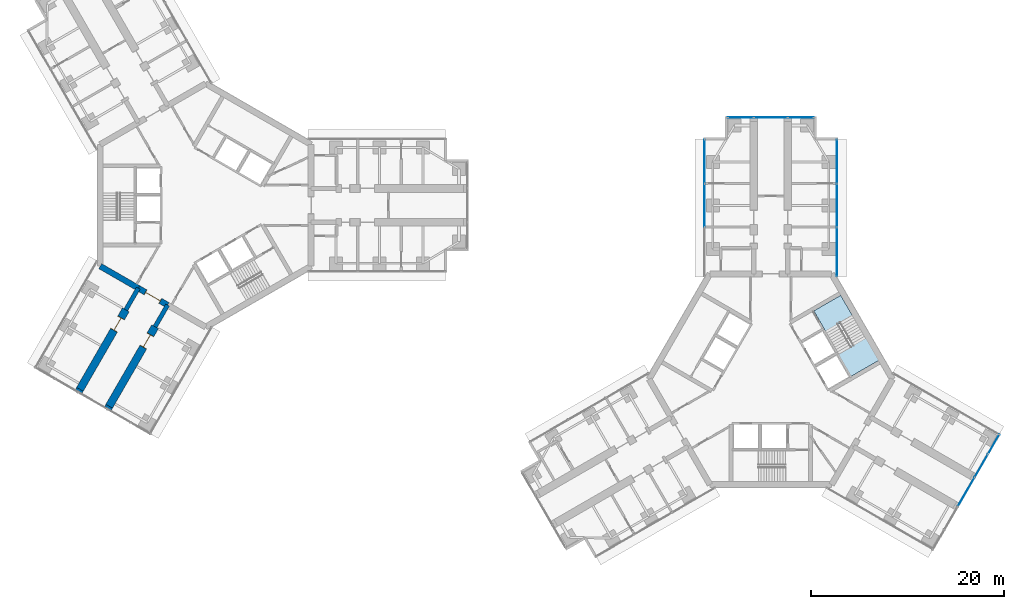
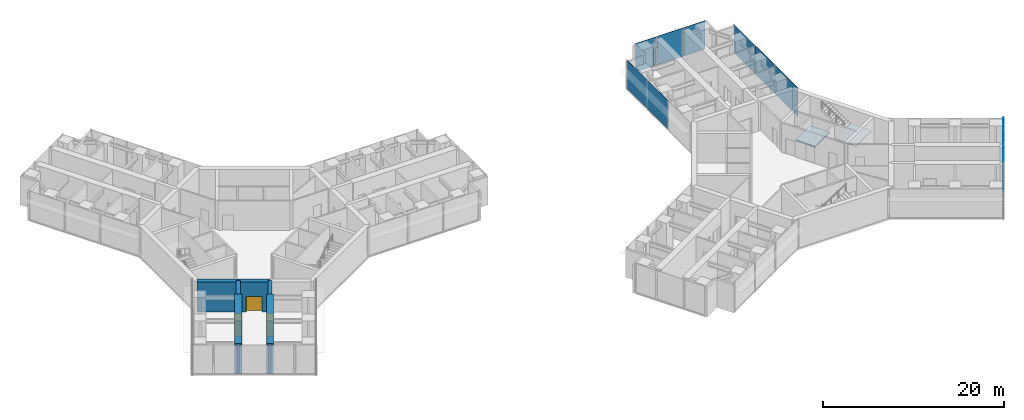
# One storey, part 14 of 21: 11 plates, 8 walls, 3 doors, 2 slabs, 3 openings, 5 elements without a shape of their own.
"""IFC4 building model written with IfcOpenShell, lengths in metres."""

import ifcopenshell
import ifcopenshell.guid

model = None  # the IFC model being written
_history = None  # IfcOwnerHistory: only IFC2X3 demands one
_inside = {}  # id of a spatial element -> (the spatial element, [elements in it])
_under = {}  # id of a project, library or spatial element -> (it, [spatial elements below it])
_declared = {}  # id of a project -> (the project, [libraries it declares])
_typed = {}  # id of a type object -> (the type object, [elements of that type])
_made_of = {}  # id of a material, layer set ... -> (it, [elements and type objects made of it])


def new_model(schema):
    """Start an empty IFC model of exactly this schema.

    Asked for "IFC4X3", IfcOpenShell would pick the latest addendum, in which some entities
    have other attributes; the version numbers below select the first issue.
    IFC2X3 requires an IfcOwnerHistory on every rooted entity: one is made here for all.
    """
    global model, _history
    if schema == "IFC4X3":
        model = ifcopenshell.file(schema_version=(4, 3, 0, 0))
    else:
        model = ifcopenshell.file(schema=schema)
    _inside.clear()
    _under.clear()
    _declared.clear()
    _typed.clear()
    _made_of.clear()
    _history = None
    if model.schema == "IFC2X3":
        org = make("IfcOrganization", Name="unknown")
        user = make(
            "IfcPersonAndOrganization",
            ThePerson=make("IfcPerson", FamilyName="unknown"),
            TheOrganization=org,
        )
        app = make(
            "IfcApplication",
            ApplicationDeveloper=org,
            Version="unknown",
            ApplicationFullName="unknown",
            ApplicationIdentifier="unknown",
        )
        _history = make(
            "IfcOwnerHistory",
            OwningUser=user,
            OwningApplication=app,
            ChangeAction="ADDED",
            CreationDate=0,
        )
    return model


def make(cls, **values):
    """One entity of the class cls with the attributes given. An attribute that is None is left unset."""
    return model.create_entity(
        cls, **{name: value for name, value in values.items() if value is not None}
    )


def rooted(cls, **values):
    """An entity with a GlobalId (a new one), such as an element, a storey or a relation."""
    return make(cls, GlobalId=ifcopenshell.guid.new(), OwnerHistory=_history, **values)


def si_unit(unit_type, name, prefix=None):
    """IfcSIUnit, for example si_unit("LENGTHUNIT", "METRE", prefix="MILLI")."""
    return make("IfcSIUnit", UnitType=unit_type, Prefix=prefix, Name=name)


def assignment(units):
    """IfcUnitAssignment: the units of a project."""
    return None if units is None else make("IfcUnitAssignment", Units=units)


def point(xyz):
    """IfcCartesianPoint."""
    return None if xyz is None else make("IfcCartesianPoint", Coordinates=xyz)


def direction(xyz):
    """IfcDirection."""
    return None if xyz is None else make("IfcDirection", DirectionRatios=xyz)


def frame(location, z_axis=None, x_axis=None):
    """IfcAxis2Placement3D, a coordinate frame: its origin and axes. An axis left out is left unset."""
    return make(
        "IfcAxis2Placement3D",
        Location=point(location),
        Axis=direction(z_axis),
        RefDirection=direction(x_axis),
    )


def frame_2d(location, x_axis=None):
    """IfcAxis2Placement2D, a coordinate frame in the plane: its origin and x axis."""
    return make(
        "IfcAxis2Placement2D", Location=point(location), RefDirection=direction(x_axis)
    )


def origin():
    """The frame at (0, 0, 0) with its axes left unset."""
    return frame((0.0, 0.0, 0.0))


def origin_2d():
    """The frame at (0, 0) in the plane with its x axis left unset."""
    return frame_2d((0.0, 0.0))


def place(relative_to, where):
    """IfcLocalPlacement: puts the frame where relative to a parent placement (None: the world)."""
    return make(
        "IfcLocalPlacement", PlacementRelTo=relative_to, RelativePlacement=where
    )


def context(
    kind, dimensions, precision=None, world=None, true_north=None, identifier=None
):
    """IfcGeometricRepresentationContext, for example the 3D "Model" context."""
    return make(
        "IfcGeometricRepresentationContext",
        ContextIdentifier=identifier,
        ContextType=kind,
        CoordinateSpaceDimension=dimensions,
        Precision=precision,
        WorldCoordinateSystem=world,
        TrueNorth=true_north,
    )


def subcontext(parent, identifier, kind, view, scale=None):
    """IfcGeometricRepresentationSubContext, for example "Body" below "Model"."""
    return make(
        "IfcGeometricRepresentationSubContext",
        ContextIdentifier=identifier,
        ContextType=kind,
        ParentContext=parent,
        TargetScale=scale,
        TargetView=view,
    )


def project(units=None, contexts=None):
    """IfcProject with its units and contexts."""
    return rooted(
        "IfcProject",
        Name="project",
        RepresentationContexts=contexts,
        UnitsInContext=assignment(units),
    )


def spatial(cls, under=None, at=None, **own):
    """A site, building, storey or space (cls), placed at a placement, below another one or the project."""
    s = rooted(cls, ObjectPlacement=at, **own)
    if under is not None:
        _under.setdefault(under.id(), (under, []))[1].append(s)
    return s


def polyline(points):
    """IfcPolyline through the points."""
    return make("IfcPolyline", Points=[point(p) for p in points])


def profile(cls, at=None, kind="AREA", **sizes):
    """A parametric profile (cls). Its sizes go by their IFC names, for example OverallWidth=200.0."""
    return make(cls, ProfileType=kind, Position=at, **sizes)


def rectangle(**sizes):
    """IfcRectangleProfileDef."""
    return profile("IfcRectangleProfileDef", **sizes)


def outline(outer, holes=None, kind="AREA"):
    """IfcArbitraryClosedProfileDef: a profile drawn as a closed curve; with holes, ...WithVoids."""
    if holes is None:
        return make("IfcArbitraryClosedProfileDef", ProfileType=kind, OuterCurve=outer)
    return make(
        "IfcArbitraryProfileDefWithVoids",
        ProfileType=kind,
        OuterCurve=outer,
        InnerCurves=holes,
    )


def extrude(swept, where, along, depth):
    """IfcExtrudedAreaSolid: the profile swept, set in the frame where, extruded along a direction by depth."""
    return make(
        "IfcExtrudedAreaSolid",
        SweptArea=swept,
        Position=where,
        ExtrudedDirection=direction(along),
        Depth=depth,
    )


def shape(context_of_items, identifier, shape_type, items):
    """IfcShapeRepresentation: the items that make up one representation, for example the "Body"."""
    return make(
        "IfcShapeRepresentation",
        ContextOfItems=context_of_items,
        RepresentationIdentifier=identifier,
        RepresentationType=shape_type,
        Items=items,
    )


def material(Name=None, Category=None):
    """IfcMaterial."""
    return make("IfcMaterial", Name=Name, Category=Category)


def layer(
    of_material, thickness, ventilated=None, Name=None, Category=None, Priority=None
):
    """IfcMaterialLayer: one layer of a wall or slab, of a material (None: an air gap)."""
    return make(
        "IfcMaterialLayer",
        Material=of_material,
        LayerThickness=thickness,
        IsVentilated=ventilated,
        Name=Name,
        Category=Category,
        Priority=Priority,
    )


def layer_set(layers, Name=None):
    """IfcMaterialLayerSet."""
    return make("IfcMaterialLayerSet", MaterialLayers=layers, LayerSetName=Name)


def made_of(thing, what):
    """Note that an element or type object is made of a material, layer set ...; save() writes the relation."""
    if what is not None:
        _made_of.setdefault(what.id(), (what, []))[1].append(thing)
    return thing


def type_object(cls, material=None, **own):
    """A type object (cls), such as IfcWallType, which elements share."""
    return made_of(rooted(cls, **own), material)


def element(
    cls,
    number,
    at=None,
    inside=None,
    cuts=None,
    type_object=None,
    material=None,
    context=None,
    identifier="Body",
    shape_type=None,
    held_by="IfcProductDefinitionShape",
    body=None,
    shapes=None,
    **own,
):
    """One element of the class cls, such as IfcWall. Its Tag is "e" and its number.

    at: its placement. inside: the storey or other place that contains it. cuts: it is an
    opening in that element (IfcRelVoidsElement). A single representation is given by context,
    identifier, shape_type and body (its items); several are given by shapes. held_by: the class
    of the entity that holds the representations. save() writes the other relations.
    """
    e = rooted(cls, Tag="e%d" % number, ObjectPlacement=at, **own)
    if body is not None:
        shapes = [shape(context, identifier, shape_type, body)]
    if shapes is not None:
        e.Representation = make(held_by, Representations=shapes)
    if inside is not None:
        _inside.setdefault(inside.id(), (inside, []))[1].append(e)
    if cuts is not None:
        rooted(
            "IfcRelVoidsElement", RelatingBuildingElement=cuts, RelatedOpeningElement=e
        )
    if type_object is not None:
        _typed.setdefault(type_object.id(), (type_object, []))[1].append(e)
    return made_of(e, material)


def fill(opening, filler):
    """IfcRelFillsElement: the door or window that sits in an opening."""
    return rooted(
        "IfcRelFillsElement",
        RelatingOpeningElement=opening,
        RelatedBuildingElement=filler,
    )


def aggregate(whole, parts):
    """IfcRelAggregates: a whole, such as a stair, and the parts it consists of."""
    return rooted("IfcRelAggregates", RelatingObject=whole, RelatedObjects=parts)


def save(model, path):
    """Write the relations noted so far, then the file.

    IfcRelAggregates (storeys below a building ...), IfcRelContainedInSpatialStructure (elements
    in a storey), IfcRelDefinesByType, IfcRelAssociatesMaterial and IfcRelDeclares: one each for
    every whole, place, type object, material and project.
    """
    for whole, parts in _under.values():
        aggregate(whole, parts)
    for where, things in _inside.values():
        rooted(
            "IfcRelContainedInSpatialStructure",
            RelatedElements=things,
            RelatingStructure=where,
        )
    for kind, things in _typed.values():
        rooted("IfcRelDefinesByType", RelatedObjects=things, RelatingType=kind)
    for what, things in _made_of.values():
        rooted("IfcRelAssociatesMaterial", RelatedObjects=things, RelatingMaterial=what)
    for by, libraries in _declared.values():
        rooted("IfcRelDeclares", RelatingContext=by, RelatedDefinitions=libraries)
    model.write(path)


model = new_model("IFC4")

# Units and contexts
model_context = context("Model", 3, precision=1e-05, world=origin(), true_north=direction((0.0, 1.0)))
body_context = subcontext(model_context, "Body", "Model", "MODEL_VIEW")
ifc_project = project(units=[si_unit("LENGTHUNIT", "METRE"), si_unit("AREAUNIT", "SQUARE_METRE"), si_unit("VOLUMEUNIT", "CUBIC_METRE"), si_unit("PLANEANGLEUNIT", "RADIAN"), si_unit("MASSUNIT", "GRAM", prefix="KILO")], contexts=[model_context])

# Site, building, storey
site_placement = place(None, origin())
site = spatial("IfcSite", under=ifc_project, at=site_placement, CompositionType="ELEMENT")
building_placement = place(site_placement, origin())
building = spatial("IfcBuilding", under=site, at=building_placement, Name="Upepo Twin Towers", CompositionType="ELEMENT")
storey_placement = place(building_placement, frame((0.0, 0.0, 113.5)))
storey = spatial("IfcBuildingStorey", under=building, at=storey_placement, Name="L27", CompositionType="ELEMENT", Elevation=113.5)

# Curtain wall, plates
ifc_material_1 = material(Name="Aluminium and fritted glass", Category="aluminium")
curtain_wall_type = type_object("IfcCurtainWallType", Name="Tower curtain wall TW2, fritted glass", PredefinedType="NOTDEFINED", material=ifc_material_1)
curtain_wall_1_placement = place(storey_placement, origin())
curtain_wall_1 = element("IfcCurtainWall", 1, at=curtain_wall_1_placement, inside=storey, type_object=curtain_wall_type, Name="T2 L27 wing A flank L curtain wall", PredefinedType="NOTDEFINED")
ifc_material_2 = material(Name="Ceramic-fritted laminated glass", Category="glass")
ifc_layer_1 = layer(ifc_material_2, 0.031982421875)
ifc_layer_set_1 = layer_set([ifc_layer_1], Name="Fritted glass panel, 35 per cent dot frit, 32 mm double glazed")
plate_type_1 = type_object("IfcPlateType", Name="Fritted glass panel, 35 per cent dot frit, 32 mm double glazed", PredefinedType="CURTAIN_PANEL", material=ifc_layer_set_1)
plate_1_placement = place(storey_placement, frame((51.64990234375, 0.0, 0.14990234375), z_axis=(0.0, 0.0, 1.0), x_axis=(0.0, 1.0, 0.0)))
plate_1 = element("IfcPlate", 2, at=plate_1_placement, type_object=plate_type_1, Name="T2 L27 wing A flank L curtain wall panel 2", PredefinedType="CURTAIN_PANEL", context=body_context, shape_type="SweptSolid", body=[
    extrude(rectangle(XDim=4.43505859375, YDim=0.031982421875, at=origin_2d()), origin(), (0.0, 0.0, 1.0), 3.85009765625),
])
plate_2_placement = place(storey_placement, frame((51.64990234375, 4.53369140625, 0.14990234375), z_axis=(0.0, 0.0, 1.0), x_axis=(0.0, 1.0, 0.0)))
plate_2 = element("IfcPlate", 3, at=plate_2_placement, type_object=plate_type_1, Name="T2 L27 wing A flank L curtain wall panel 3", PredefinedType="CURTAIN_PANEL", context=body_context, shape_type="SweptSolid", body=[
    extrude(rectangle(XDim=4.50244140625, YDim=0.031982421875, at=origin_2d()), origin(), (0.0, 0.0, 1.0), 3.85009765625),
])
aggregate(curtain_wall_1, [plate_1, plate_2])

curtain_wall_2_placement = place(storey_placement, origin())
curtain_wall_2 = element("IfcCurtainWall", 4, at=curtain_wall_2_placement, inside=storey, type_object=curtain_wall_type, Name="T2 L27 wing A flank R curtain wall", PredefinedType="NOTDEFINED")
plate_3_placement = place(storey_placement, frame((65.35009765625, 4.53369140625, 0.14990234375), z_axis=(0.0, 0.0, 1.0), x_axis=(0.0, -1.0, 0.0)))
plate_3 = element("IfcPlate", 5, at=plate_3_placement, type_object=plate_type_1, Name="T2 L27 wing A flank R curtain wall panel 1", PredefinedType="CURTAIN_PANEL", context=body_context, shape_type="SweptSolid", body=[
    extrude(rectangle(XDim=4.50244140625, YDim=0.031982421875, at=origin_2d()), origin(), (0.0, 0.0, 1.0), 3.85009765625),
])
plate_4_placement = place(storey_placement, frame((65.35009765625, 0.0, 0.14990234375), z_axis=(0.0, 0.0, 1.0), x_axis=(0.0, -1.0, 0.0)))
plate_4 = element("IfcPlate", 6, at=plate_4_placement, type_object=plate_type_1, Name="T2 L27 wing A flank R curtain wall panel 2", PredefinedType="CURTAIN_PANEL", context=body_context, shape_type="SweptSolid", body=[
    extrude(rectangle(XDim=4.43505859375, YDim=0.031982421875, at=origin_2d()), origin(), (0.0, 0.0, 1.0), 3.85009765625),
])
plate_5_placement = place(storey_placement, frame((65.35009765625, -4.815185546875, 0.14990234375), z_axis=(0.0, 0.0, 1.0), x_axis=(0.0, -1.0, 0.0)))
plate_5 = element("IfcPlate", 7, at=plate_5_placement, type_object=plate_type_1, Name="T2 L27 wing A flank R curtain wall panel 3", PredefinedType="CURTAIN_PANEL", context=body_context, shape_type="SweptSolid", body=[
    extrude(rectangle(XDim=5.0654296875, YDim=0.031982421875, at=origin_2d()), origin(), (0.0, 0.0, 1.0), 3.85009765625),
])
aggregate(curtain_wall_2, [plate_3, plate_4, plate_5])

# Curtain wall, plate
curtain_wall_3_placement = place(storey_placement, origin())
curtain_wall_3 = element("IfcCurtainWall", 8, at=curtain_wall_3_placement, inside=storey, type_object=curtain_wall_type, Name="T2 L27 wing A nose curtain wall", PredefinedType="NOTDEFINED")
plate_6_placement = place(storey_placement, frame((58.5, 9.10009765625, 0.14990234375), z_axis=(0.0, 0.0, 1.0), x_axis=(-1.0, 0.0, 0.0)))
plate_6 = element("IfcPlate", 9, at=plate_6_placement, type_object=plate_type_1, Name="T2 L27 wing A nose curtain wall panel 2", PredefinedType="CURTAIN_PANEL", context=body_context, shape_type="SweptSolid", body=[
    extrude(rectangle(XDim=3.43505859375, YDim=0.031982421875, at=origin_2d()), origin(), (0.0, 0.0, 1.0), 3.85009765625),
])

# Curtain wall, plates
curtain_wall_4_placement = place(storey_placement, origin())
curtain_wall_4 = element("IfcCurtainWall", 10, at=curtain_wall_4_placement, inside=storey, type_object=curtain_wall_type, Name="T2 L27 wing C nose curtain wall", PredefinedType="NOTDEFINED")
plate_7_placement = place(storey_placement, frame((78.7216796875, -29.675048828125, 0.14990234375), z_axis=(0.0, 0.0, 1.0), x_axis=(0.499999972355, 0.866025419745, 0.0)))
plate_7 = element("IfcPlate", 11, at=plate_7_placement, type_object=plate_type_1, Name="T2 L27 wing C nose curtain wall panel 3", PredefinedType="CURTAIN_PANEL", context=body_context, shape_type="SweptSolid", body=[
    extrude(rectangle(XDim=3.43505859375, YDim=0.031982421875, at=origin_2d()), origin(), (0.0, 0.0, 1.0), 3.85009765625),
])
plate_8_placement = place(storey_placement, frame((80.2841796875, -26.96875, 0.14990234375), z_axis=(0.0, 0.0, 1.0), x_axis=(0.499999972355, 0.866025419745, 0.0)))
plate_8 = element("IfcPlate", 12, at=plate_8_placement, type_object=plate_type_1, Name="T2 L27 wing C nose curtain wall panel 4", PredefinedType="CURTAIN_PANEL", context=body_context, shape_type="SweptSolid", body=[
    extrude(rectangle(XDim=2.68505859375, YDim=0.031982421875, at=origin_2d()), origin(), (0.0, 0.0, 1.0), 3.85009765625),
])

# Plate
ifc_material_3 = material(Name="Clear laminated glass in opening sash", Category="glass")
ifc_layer_2 = layer(ifc_material_3, 0.031982421875)
ifc_layer_set_2 = layer_set([ifc_layer_2], Name="Operable glass panel, 32 mm double glazed")
plate_type_2 = type_object("IfcPlateType", Name="Operable glass panel, 32 mm double glazed", PredefinedType="CURTAIN_PANEL", material=ifc_layer_set_2)
plate_9_placement = place(storey_placement, frame((61.608642578125, 9.10009765625, 0.14990234375), z_axis=(0.0, 0.0, 1.0), x_axis=(-1.0, 0.0, 0.0)))
plate_9 = element("IfcPlate", 13, at=plate_9_placement, type_object=plate_type_2, Name="T2 L27 wing A nose curtain wall panel 1", PredefinedType="CURTAIN_PANEL", context=body_context, shape_type="SweptSolid", body=[
    extrude(rectangle(XDim=2.652587890625, YDim=0.031982421875, at=origin_2d()), origin(), (0.0, 0.0, 1.0), 3.85009765625),
])

plate_10_placement = place(storey_placement, frame((55.391357421875, 9.10009765625, 0.14990234375), z_axis=(0.0, 0.0, 1.0), x_axis=(-1.0, 0.0, 0.0)))
plate_10 = element("IfcPlate", 14, at=plate_10_placement, type_object=plate_type_2, Name="T2 L27 wing A nose curtain wall panel 3", PredefinedType="CURTAIN_PANEL", context=body_context, shape_type="SweptSolid", body=[
    extrude(rectangle(XDim=2.652587890625, YDim=0.031982421875, at=origin_2d()), origin(), (0.0, 0.0, 1.0), 3.85009765625),
])

aggregate(curtain_wall_3, [plate_9, plate_6, plate_10])

plate_11_placement = place(storey_placement, frame((81.576171875, -24.73095703125, 0.14990234375), z_axis=(0.0, 0.0, 1.0), x_axis=(0.499999972355, 0.866025419745, 0.0)))
plate_11 = element("IfcPlate", 15, at=plate_11_placement, type_object=plate_type_2, Name="T2 L27 wing C nose curtain wall panel 5", PredefinedType="CURTAIN_PANEL", context=body_context, shape_type="SweptSolid", body=[
    extrude(rectangle(XDim=2.3525390625, YDim=0.031982421875, at=origin_2d()), origin(), (0.0, 0.0, 1.0), 3.85009765625),
])

aggregate(curtain_wall_4, [plate_7, plate_8, plate_11])

# Stair, slabs
ifc_material_4 = material(Name="Concrete C40/50", Category="concrete")
stair_type = type_object("IfcStairType", Name="Core stair, two flights", PredefinedType="HALF_TURN_STAIR", material=ifc_material_4)
stair_placement = place(storey_placement, origin())
stair = element("IfcStair", 16, at=stair_placement, inside=storey, type_object=stair_type, Name="T2 stair S2 L27", PredefinedType="HALF_TURN_STAIR")
ifc_material_5 = material(Name="Concrete C40/50", Category="concrete")
ifc_layer_3 = layer(ifc_material_5, 0.199951171875)
ifc_layer_set_3 = layer_set([ifc_layer_3], Name="Concrete C40/50")
slab_type = type_object("IfcSlabType", Name="Stair landing 200 RC", PredefinedType="LANDING", material=ifc_layer_set_3)
slab_1_placement = place(storey_placement, frame((0.0, 0.0, -0.199951171875)))
slab_1 = element("IfcSlab", 17, at=slab_1_placement, type_object=slab_type, Name="Stair S2 landing 1", PredefinedType="LANDING", context=body_context, shape_type="SweptSolid", body=[
    extrude(outline(polyline([(64.198486328125, -13.0703125), (66.97705078125, -11.466064453125), (65.737060546875, -9.318359375), (62.95849609375, -10.922607421875), (64.198486328125, -13.0703125)])), origin(), (0.0, 0.0, 1.0), 0.199951171875),
])
slab_2_placement = place(storey_placement, frame((0.0, 0.0, 1.800048828125)))
slab_2 = element("IfcSlab", 18, at=slab_2_placement, type_object=slab_type, Name="Stair S2 landing 2", PredefinedType="LANDING", context=body_context, shape_type="SweptSolid", body=[
    extrude(outline(polyline([(66.77197265625, -17.7275390625), (69.7236328125, -16.0234375), (68.36376953125, -13.667724609375), (65.411865234375, -15.371826171875), (66.77197265625, -17.7275390625)])), origin(), (0.0, 0.0, 1.0), 0.199951171875),
])
aggregate(stair, [slab_1, slab_2])

# Walls
ifc_material_6 = material(Name="Dense concrete blockwork", Category="masonry")
ifc_layer_4 = layer(ifc_material_6, 0.800048828125)
ifc_layer_set_4 = layer_set([ifc_layer_4], Name="Buttress closer 800, blockwork with fire-stopping to the curtain wall")
wall_type_1 = type_object("IfcWallType", Name="Buttress closer 800, blockwork with fire-stopping to the curtain wall", PredefinedType="PARTITIONING", material=ifc_layer_set_4)
for number, where, z_axis, x_axis, name in (
    (19, (-9.984375, -20.793701171875, 0.0), (0.0, 0.0, 1.0), (-0.500342721131, -0.865827443207, 0.0), "T1 L27 wing C buttress closer L"),
    (20, (-13.015625, -19.043701171875, 0.0), (0.0, 0.0, 1.0), (-0.500342721131, -0.865827443207, 0.0), "T1 L27 wing C buttress closer R"),
):
    element("IfcWall", number, at=place(storey_placement, frame(where, z_axis=z_axis, x_axis=x_axis)), inside=storey, type_object=wall_type_1, Name=name, PredefinedType="PARTITIONING", context=body_context, shape_type="SweptSolid", body=[
        extrude(rectangle(XDim=0.249755859375, YDim=0.800048828125, at=frame_2d((0.125, 0.0))), origin(), (0.0, 0.0, 1.0), 3.800048828125),
    ])
ifc_material_7 = material(Name="Concrete C60/75", Category="concrete")
ifc_layer_5 = layer(ifc_material_7, 0.449951171875)
ifc_layer_set_5 = layer_set([ifc_layer_5], Name="Concrete C60/75")
wall_type_2 = type_object("IfcWallType", Name="Buttress wall 450 RC", PredefinedType="SHEAR", material=ifc_layer_set_5)
for number, where, z_axis, x_axis, name in (
    (21, (-3.938720703125, -10.32177734375, 0.0), (0.0, 0.0, 1.0), (-0.499918158782, -0.866072649678, 0.0), "T1 wing C buttress wall L"),
    (22, (-6.9697265625, -8.57177734375, 0.0), (0.0, 0.0, 1.0), (-0.499988811324, -0.866031863473, 0.0), "T1 wing C buttress wall R"),
):
    element("IfcWall", number, at=place(storey_placement, frame(where, z_axis=z_axis, x_axis=x_axis)), inside=storey, type_object=wall_type_2, Name=name, PredefinedType="SHEAR", context=body_context, shape_type="SweptSolid", body=[
        extrude(rectangle(XDim=2.591796875, YDim=0.449951171875, at=frame_2d((1.2958984375, 0.0))), origin(), (0.0, 0.0, 1.0), 4.0),
    ])

# Wall, opening, door
ifc_material_8 = material(Name="Concrete C60/75", Category="concrete")
ifc_layer_6 = layer(ifc_material_8, 0.800048828125)
ifc_layer_set_6 = layer_set([ifc_layer_6], Name="Concrete C60/75")
wall_type_3 = type_object("IfcWallType", Name="Buttress wall 800 RC", PredefinedType="SHEAR", material=ifc_layer_set_6)
wall_1_placement = place(storey_placement, frame((-5.234375, -12.56640625, 0.0), z_axis=(0.0, 0.0, 1.0), x_axis=(-0.499997557548, -0.86602681393, 0.0)))
wall_1 = element("IfcWall", 23, at=wall_1_placement, inside=storey, type_object=wall_type_3, Name="T1 wing C buttress wall L part 2", PredefinedType="SHEAR", context=body_context, shape_type="SweptSolid", body=[
    extrude(rectangle(XDim=9.5, YDim=0.800048828125, at=frame_2d((4.75, 0.0))), origin(), (0.0, 0.0, 1.0), 4.0),
])
opening_1_placement = place(wall_1_placement, frame((0.949951171875, 0.0, 0.0)))
opening_1 = element("IfcOpeningElement", 24, at=opening_1_placement, cuts=wall_1, Name="Opening D13", PredefinedType="OPENING", context=body_context, shape_type="SweptSolid", body=[
    extrude(rectangle(XDim=1.5, YDim=2.10009765625, at=frame_2d((0.75, 1.050048828125))), frame((0.0, 0.409912109375, 0.0), z_axis=(0.0, -1.0, 0.0), x_axis=(1.0, 0.0, 0.0)), (0.0, 0.0, 1.0), 0.820068359375),
])
ifc_material_9 = material(Name="Timber doorset", Category="wood")
door_type_1 = type_object("IfcDoorType", Name="Double door 1500 FD30", OperationType="DOUBLE_DOOR_SINGLE_SWING", PredefinedType="DOOR", material=ifc_material_9)
door_1_placement = place(opening_1_placement, origin())
door_1 = element("IfcDoor", 25, at=door_1_placement, inside=storey, type_object=door_type_1, Name="T1 L27 laboratory prep room door", OperationType="DOUBLE_DOOR_SINGLE_SWING", OverallHeight=2.10009765625, OverallWidth=1.5, PredefinedType="DOOR", context=body_context, shape_type="SweptSolid", body=[
    extrude(rectangle(XDim=1.42, YDim=2.06009765625, at=frame_2d((0.75, 1.030029296875))), frame((0.0, 0.02490234375, 0.0), z_axis=(0.0, -1.0, 0.0), x_axis=(1.0, 0.0, 0.0)), (0.0, 0.0, 1.0), 0.050048828125),
    extrude(rectangle(XDim=0.04, YDim=2.10009765625, at=frame_2d((0.02001953125, 1.050048828125))), frame((0.0, 0.39990234375, 0.0), z_axis=(0.0, -1.0, 0.0), x_axis=(1.0, 0.0, 0.0)), (0.0, 0.0, 1.0), 0.799560546875),
    extrude(rectangle(XDim=0.04, YDim=2.10009765625, at=frame_2d((1.47998046875, 1.050048828125))), frame((0.0, 0.39990234375, 0.0), z_axis=(0.0, -1.0, 0.0), x_axis=(1.0, 0.0, 0.0)), (0.0, 0.0, 1.0), 0.799560546875),
    extrude(rectangle(XDim=1.42, YDim=0.04, at=frame_2d((0.75, 2.080078125))), frame((0.0, 0.39990234375, 0.0), z_axis=(0.0, -1.0, 0.0), x_axis=(1.0, 0.0, 0.0)), (0.0, 0.0, 1.0), 0.799560546875),
])
fill(opening_1, door_1)

wall_2_placement = place(storey_placement, frame((-8.265625, -10.81640625, 0.0), z_axis=(0.0, 0.0, 1.0), x_axis=(-0.499997557548, -0.86602681393, 0.0)))
wall_2 = element("IfcWall", 26, at=wall_2_placement, inside=storey, type_object=wall_type_3, Name="T1 wing C buttress wall R part 2", PredefinedType="SHEAR", context=body_context, shape_type="SweptSolid", body=[
    extrude(rectangle(XDim=9.5, YDim=0.800048828125, at=frame_2d((4.75, 0.0))), origin(), (0.0, 0.0, 1.0), 4.0),
])
opening_2_placement = place(wall_2_placement, frame((0.949951171875, 0.0, 0.0)))
opening_2 = element("IfcOpeningElement", 27, at=opening_2_placement, cuts=wall_2, Name="Opening D13", PredefinedType="OPENING", context=body_context, shape_type="SweptSolid", body=[
    extrude(rectangle(XDim=1.5, YDim=2.10009765625, at=frame_2d((0.75, 1.050048828125))), frame((0.0, 0.409912109375, 0.0), z_axis=(0.0, -1.0, 0.0), x_axis=(1.0, 0.0, 0.0)), (0.0, 0.0, 1.0), 0.820068359375),
])
door_2_placement = place(opening_2_placement, origin())
door_2 = element("IfcDoor", 28, at=door_2_placement, inside=storey, type_object=door_type_1, Name="T1 L27 laboratory prep room door", OperationType="DOUBLE_DOOR_SINGLE_SWING", OverallHeight=2.10009765625, OverallWidth=1.5, PredefinedType="DOOR", context=body_context, shape_type="SweptSolid", body=[
    extrude(rectangle(XDim=1.42, YDim=2.06009765625, at=frame_2d((0.75, 1.030029296875))), frame((0.0, 0.02490234375, 0.0), z_axis=(0.0, -1.0, 0.0), x_axis=(1.0, 0.0, 0.0)), (0.0, 0.0, 1.0), 0.050048828125),
    extrude(rectangle(XDim=0.04, YDim=2.10009765625, at=frame_2d((0.02001953125, 1.050048828125))), frame((0.0, 0.39990234375, 0.0), z_axis=(0.0, -1.0, 0.0), x_axis=(1.0, 0.0, 0.0)), (0.0, 0.0, 1.0), 0.799560546875),
    extrude(rectangle(XDim=0.04, YDim=2.10009765625, at=frame_2d((1.47998046875, 1.050048828125))), frame((0.0, 0.39990234375, 0.0), z_axis=(0.0, -1.0, 0.0), x_axis=(1.0, 0.0, 0.0)), (0.0, 0.0, 1.0), 0.799560546875),
    extrude(rectangle(XDim=1.42, YDim=0.04, at=frame_2d((0.75, 2.080078125))), frame((0.0, 0.39990234375, 0.0), z_axis=(0.0, -1.0, 0.0), x_axis=(1.0, 0.0, 0.0)), (0.0, 0.0, 1.0), 0.799560546875),
])
fill(opening_2, door_2)

# Wall
ifc_material_10 = material(Name="Concrete C60/75", Category="concrete")
ifc_layer_7 = layer(ifc_material_10, 0.60009765625)
ifc_layer_set_7 = layer_set([ifc_layer_7], Name="Concrete C60/75")
wall_type_4 = type_object("IfcWallType", Name="Core wall 600 RC", PredefinedType="SHEAR", material=ifc_layer_set_7)
wall_3_placement = place(storey_placement, frame((-10.908447265625, -6.2978515625, 0.0), z_axis=(0.0, 0.0, 1.0), x_axis=(0.866034513004, -0.499984222037, 0.0)))
element("IfcWall", 29, at=wall_3_placement, inside=storey, type_object=wall_type_4, Name="T1 core wall 240 R", PredefinedType="SHEAR", context=body_context, shape_type="SweptSolid", body=[
    extrude(rectangle(XDim=4.548095703125, YDim=0.60009765625, at=frame_2d((2.27392578125, 0.0))), origin(), (0.0, 0.0, 1.0), 4.0),
])

# Wall, opening, door
wall_4_placement = place(storey_placement, frame((-6.9697265625, -8.57177734375, 0.0), z_axis=(0.0, 0.0, 1.0), x_axis=(0.866019471182, -0.500010275428, 0.0)))
wall_4 = element("IfcWall", 30, at=wall_4_placement, inside=storey, type_object=wall_type_4, Name="T1 core wall 240", PredefinedType="SHEAR", context=body_context, shape_type="SweptSolid", body=[
    extrude(rectangle(XDim=3.5, YDim=0.60009765625, at=frame_2d((1.75, 0.0))), origin(), (0.0, 0.0, 1.0), 4.0),
])
opening_3_placement = place(wall_4_placement, frame((0.85009765625, 0.0, 0.0)))
opening_3 = element("IfcOpeningElement", 31, at=opening_3_placement, cuts=wall_4, Name="Opening D2", PredefinedType="OPENING", context=body_context, shape_type="SweptSolid", body=[
    extrude(rectangle(XDim=1.800048828125, YDim=2.10009765625, at=frame_2d((0.89990234375, 1.050048828125))), frame((0.0, 0.31005859375, 0.0), z_axis=(0.0, -1.0, 0.0), x_axis=(1.0, 0.0, 0.0)), (0.0, 0.0, 1.0), 0.6201171875),
])
ifc_material_11 = material(Name="Timber doorset", Category="wood")
door_type_2 = type_object("IfcDoorType", Name="Corridor double door 1800 FD60", OperationType="DOUBLE_DOOR_DOUBLE_SWING", PredefinedType="DOOR", material=ifc_material_11)
door_3_placement = place(opening_3_placement, origin())
door_3 = element("IfcDoor", 32, at=door_3_placement, inside=storey, type_object=door_type_2, Name="T1 L27 wing C corridor door", OperationType="DOUBLE_DOOR_DOUBLE_SWING", OverallHeight=2.10009765625, OverallWidth=1.800048828125, PredefinedType="DOOR", context=body_context, shape_type="SweptSolid", body=[
    extrude(rectangle(XDim=1.720048828125, YDim=2.06009765625, at=frame_2d((0.89990234375, 1.030029296875))), frame((0.0, 0.02490234375, 0.0), z_axis=(0.0, -1.0, 0.0), x_axis=(1.0, 0.0, 0.0)), (0.0, 0.0, 1.0), 0.050048828125),
    extrude(rectangle(XDim=0.04, YDim=2.10009765625, at=frame_2d((0.02001953125, 1.050048828125))), frame((0.0, 0.2998046875, 0.0), z_axis=(0.0, -1.0, 0.0), x_axis=(1.0, 0.0, 0.0)), (0.0, 0.0, 1.0), 0.599609375),
    extrude(rectangle(XDim=0.04, YDim=2.10009765625, at=frame_2d((1.780029296875, 1.050048828125))), frame((0.0, 0.2998046875, 0.0), z_axis=(0.0, -1.0, 0.0), x_axis=(1.0, 0.0, 0.0)), (0.0, 0.0, 1.0), 0.599609375),
    extrude(rectangle(XDim=1.720048828125, YDim=0.04, at=frame_2d((0.89990234375, 2.080078125))), frame((0.0, 0.2998046875, 0.0), z_axis=(0.0, -1.0, 0.0), x_axis=(1.0, 0.0, 0.0)), (0.0, 0.0, 1.0), 0.599609375),
])
fill(opening_3, door_3)

save(model, "model.ifc")
